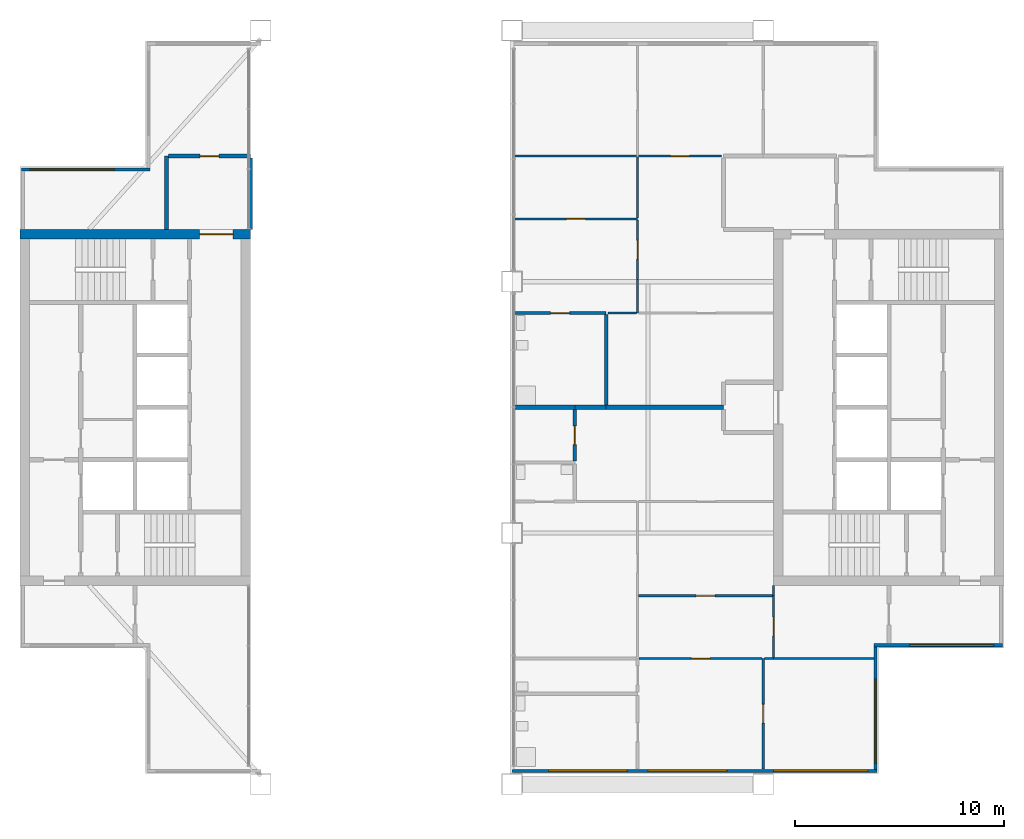
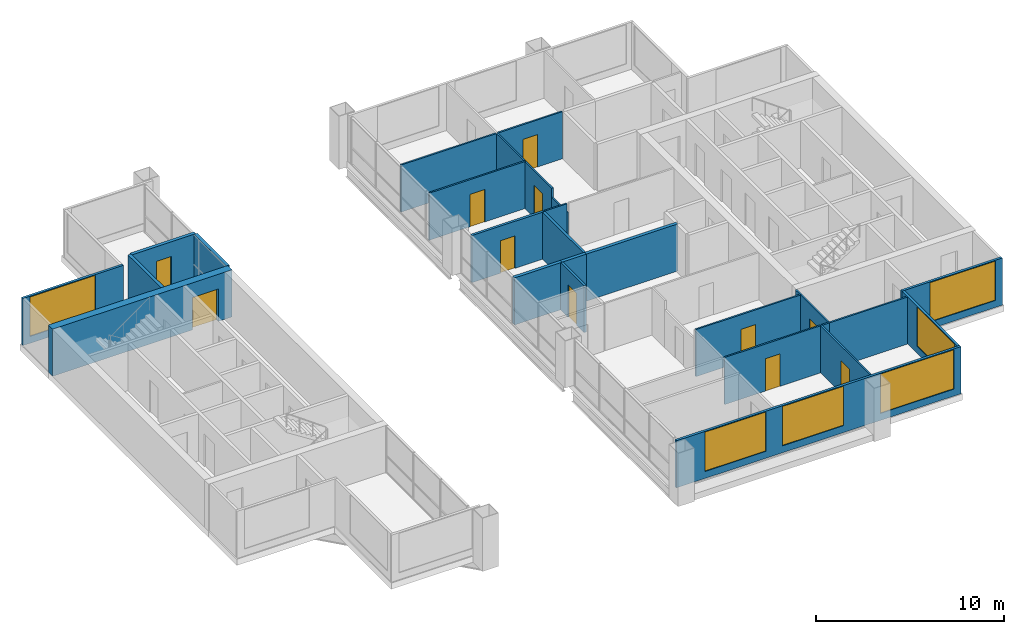
# One storey, part 8 of 12: 28 walls, 11 doors, 6 windows, 17 openings.
"""IFC4 building model written with IfcOpenShell, lengths in metres."""

import ifcopenshell
import ifcopenshell.guid

model = None  # the IFC model being written
_history = None  # IfcOwnerHistory: only IFC2X3 demands one
_inside = {}  # id of a spatial element -> (the spatial element, [elements in it])
_under = {}  # id of a project, library or spatial element -> (it, [spatial elements below it])
_declared = {}  # id of a project -> (the project, [libraries it declares])
_typed = {}  # id of a type object -> (the type object, [elements of that type])
_made_of = {}  # id of a material, layer set ... -> (it, [elements and type objects made of it])


def new_model(schema):
    """Start an empty IFC model of exactly this schema.

    Asked for "IFC4X3", IfcOpenShell would pick the latest addendum, in which some entities
    have other attributes; the version numbers below select the first issue.
    IFC2X3 requires an IfcOwnerHistory on every rooted entity: one is made here for all.
    """
    global model, _history
    if schema == "IFC4X3":
        model = ifcopenshell.file(schema_version=(4, 3, 0, 0))
    else:
        model = ifcopenshell.file(schema=schema)
    _inside.clear()
    _under.clear()
    _declared.clear()
    _typed.clear()
    _made_of.clear()
    _history = None
    if model.schema == "IFC2X3":
        org = make("IfcOrganization", Name="unknown")
        user = make(
            "IfcPersonAndOrganization",
            ThePerson=make("IfcPerson", FamilyName="unknown"),
            TheOrganization=org,
        )
        app = make(
            "IfcApplication",
            ApplicationDeveloper=org,
            Version="unknown",
            ApplicationFullName="unknown",
            ApplicationIdentifier="unknown",
        )
        _history = make(
            "IfcOwnerHistory",
            OwningUser=user,
            OwningApplication=app,
            ChangeAction="ADDED",
            CreationDate=0,
        )
    return model


def make(cls, **values):
    """One entity of the class cls with the attributes given. An attribute that is None is left unset."""
    return model.create_entity(
        cls, **{name: value for name, value in values.items() if value is not None}
    )


def rooted(cls, **values):
    """An entity with a GlobalId (a new one), such as an element, a storey or a relation."""
    return make(cls, GlobalId=ifcopenshell.guid.new(), OwnerHistory=_history, **values)


def si_unit(unit_type, name, prefix=None):
    """IfcSIUnit, for example si_unit("LENGTHUNIT", "METRE", prefix="MILLI")."""
    return make("IfcSIUnit", UnitType=unit_type, Prefix=prefix, Name=name)


def assignment(units):
    """IfcUnitAssignment: the units of a project."""
    return None if units is None else make("IfcUnitAssignment", Units=units)


def point(xyz):
    """IfcCartesianPoint."""
    return None if xyz is None else make("IfcCartesianPoint", Coordinates=xyz)


def direction(xyz):
    """IfcDirection."""
    return None if xyz is None else make("IfcDirection", DirectionRatios=xyz)


def frame(location, z_axis=None, x_axis=None):
    """IfcAxis2Placement3D, a coordinate frame: its origin and axes. An axis left out is left unset."""
    return make(
        "IfcAxis2Placement3D",
        Location=point(location),
        Axis=direction(z_axis),
        RefDirection=direction(x_axis),
    )


def frame_2d(location, x_axis=None):
    """IfcAxis2Placement2D, a coordinate frame in the plane: its origin and x axis."""
    return make(
        "IfcAxis2Placement2D", Location=point(location), RefDirection=direction(x_axis)
    )


def origin():
    """The frame at (0, 0, 0) with its axes left unset."""
    return frame((0.0, 0.0, 0.0))


def place(relative_to, where):
    """IfcLocalPlacement: puts the frame where relative to a parent placement (None: the world)."""
    return make(
        "IfcLocalPlacement", PlacementRelTo=relative_to, RelativePlacement=where
    )


def context(
    kind, dimensions, precision=None, world=None, true_north=None, identifier=None
):
    """IfcGeometricRepresentationContext, for example the 3D "Model" context."""
    return make(
        "IfcGeometricRepresentationContext",
        ContextIdentifier=identifier,
        ContextType=kind,
        CoordinateSpaceDimension=dimensions,
        Precision=precision,
        WorldCoordinateSystem=world,
        TrueNorth=true_north,
    )


def subcontext(parent, identifier, kind, view, scale=None):
    """IfcGeometricRepresentationSubContext, for example "Body" below "Model"."""
    return make(
        "IfcGeometricRepresentationSubContext",
        ContextIdentifier=identifier,
        ContextType=kind,
        ParentContext=parent,
        TargetScale=scale,
        TargetView=view,
    )


def project(units=None, contexts=None):
    """IfcProject with its units and contexts."""
    return rooted(
        "IfcProject",
        Name="project",
        RepresentationContexts=contexts,
        UnitsInContext=assignment(units),
    )


def spatial(cls, under=None, at=None, **own):
    """A site, building, storey or space (cls), placed at a placement, below another one or the project."""
    s = rooted(cls, ObjectPlacement=at, **own)
    if under is not None:
        _under.setdefault(under.id(), (under, []))[1].append(s)
    return s


def profile(cls, at=None, kind="AREA", **sizes):
    """A parametric profile (cls). Its sizes go by their IFC names, for example OverallWidth=200.0."""
    return make(cls, ProfileType=kind, Position=at, **sizes)


def rectangle(**sizes):
    """IfcRectangleProfileDef."""
    return profile("IfcRectangleProfileDef", **sizes)


def extrude(swept, where, along, depth):
    """IfcExtrudedAreaSolid: the profile swept, set in the frame where, extruded along a direction by depth."""
    return make(
        "IfcExtrudedAreaSolid",
        SweptArea=swept,
        Position=where,
        ExtrudedDirection=direction(along),
        Depth=depth,
    )


def shape(context_of_items, identifier, shape_type, items):
    """IfcShapeRepresentation: the items that make up one representation, for example the "Body"."""
    return make(
        "IfcShapeRepresentation",
        ContextOfItems=context_of_items,
        RepresentationIdentifier=identifier,
        RepresentationType=shape_type,
        Items=items,
    )


def material(Name=None, Category=None):
    """IfcMaterial."""
    return make("IfcMaterial", Name=Name, Category=Category)


def layer(
    of_material, thickness, ventilated=None, Name=None, Category=None, Priority=None
):
    """IfcMaterialLayer: one layer of a wall or slab, of a material (None: an air gap)."""
    return make(
        "IfcMaterialLayer",
        Material=of_material,
        LayerThickness=thickness,
        IsVentilated=ventilated,
        Name=Name,
        Category=Category,
        Priority=Priority,
    )


def layer_set(layers, Name=None):
    """IfcMaterialLayerSet."""
    return make("IfcMaterialLayerSet", MaterialLayers=layers, LayerSetName=Name)


def made_of(thing, what):
    """Note that an element or type object is made of a material, layer set ...; save() writes the relation."""
    if what is not None:
        _made_of.setdefault(what.id(), (what, []))[1].append(thing)
    return thing


def type_object(cls, material=None, **own):
    """A type object (cls), such as IfcWallType, which elements share."""
    return made_of(rooted(cls, **own), material)


def element(
    cls,
    number,
    at=None,
    inside=None,
    cuts=None,
    type_object=None,
    material=None,
    context=None,
    identifier="Body",
    shape_type=None,
    held_by="IfcProductDefinitionShape",
    body=None,
    shapes=None,
    **own,
):
    """One element of the class cls, such as IfcWall. Its Tag is "e" and its number.

    at: its placement. inside: the storey or other place that contains it. cuts: it is an
    opening in that element (IfcRelVoidsElement). A single representation is given by context,
    identifier, shape_type and body (its items); several are given by shapes. held_by: the class
    of the entity that holds the representations. save() writes the other relations.
    """
    e = rooted(cls, Tag="e%d" % number, ObjectPlacement=at, **own)
    if body is not None:
        shapes = [shape(context, identifier, shape_type, body)]
    if shapes is not None:
        e.Representation = make(held_by, Representations=shapes)
    if inside is not None:
        _inside.setdefault(inside.id(), (inside, []))[1].append(e)
    if cuts is not None:
        rooted(
            "IfcRelVoidsElement", RelatingBuildingElement=cuts, RelatedOpeningElement=e
        )
    if type_object is not None:
        _typed.setdefault(type_object.id(), (type_object, []))[1].append(e)
    return made_of(e, material)


def fill(opening, filler):
    """IfcRelFillsElement: the door or window that sits in an opening."""
    return rooted(
        "IfcRelFillsElement",
        RelatingOpeningElement=opening,
        RelatedBuildingElement=filler,
    )


def aggregate(whole, parts):
    """IfcRelAggregates: a whole, such as a stair, and the parts it consists of."""
    return rooted("IfcRelAggregates", RelatingObject=whole, RelatedObjects=parts)


def save(model, path):
    """Write the relations noted so far, then the file.

    IfcRelAggregates (storeys below a building ...), IfcRelContainedInSpatialStructure (elements
    in a storey), IfcRelDefinesByType, IfcRelAssociatesMaterial and IfcRelDeclares: one each for
    every whole, place, type object, material and project.
    """
    for whole, parts in _under.values():
        aggregate(whole, parts)
    for where, things in _inside.values():
        rooted(
            "IfcRelContainedInSpatialStructure",
            RelatedElements=things,
            RelatingStructure=where,
        )
    for kind, things in _typed.values():
        rooted("IfcRelDefinesByType", RelatedObjects=things, RelatingType=kind)
    for what, things in _made_of.values():
        rooted("IfcRelAssociatesMaterial", RelatedObjects=things, RelatingMaterial=what)
    for by, libraries in _declared.values():
        rooted("IfcRelDeclares", RelatingContext=by, RelatedDefinitions=libraries)
    model.write(path)


model = new_model("IFC4")

# Units and contexts
model_context = context("Model", 3, precision=1e-05, world=origin(), true_north=direction((0.0, 1.0)))
body_context = subcontext(model_context, "Body", "Model", "MODEL_VIEW")
ifc_project = project(units=[si_unit("LENGTHUNIT", "METRE"), si_unit("AREAUNIT", "SQUARE_METRE"), si_unit("VOLUMEUNIT", "CUBIC_METRE"), si_unit("PLANEANGLEUNIT", "RADIAN"), si_unit("MASSUNIT", "GRAM", prefix="KILO")], contexts=[model_context])

# Site, building, storey
site_placement = place(None, origin())
site = spatial("IfcSite", under=ifc_project, at=site_placement, CompositionType="ELEMENT")
building_placement = place(site_placement, origin())
building = spatial("IfcBuilding", under=site, at=building_placement, Name="Kitamizu Gate Tower and Museum", CompositionType="ELEMENT")
storey_placement = place(building_placement, frame((0.0, 0.0, 255.89990234375)))
storey = spatial("IfcBuildingStorey", under=building, at=storey_placement, Name="L69", CompositionType="ELEMENT", Elevation=255.89990234375)

# Wall, opening, door
ifc_material_1 = material(Name="Concrete Fc42", Category="concrete")
ifc_layer_1 = layer(ifc_material_1, 0.449951171875)
ifc_layer_set_1 = layer_set([ifc_layer_1], Name="Concrete Fc42")
wall_type_1 = type_object("IfcWallType", Name="Core wall 450 EI 90", PredefinedType="SHEAR", material=ifc_layer_set_1)
wall_1_placement = place(storey_placement, frame((12.5, 38.27490234375, 0.0), z_axis=(0.0, 0.0, 1.0), x_axis=(1.0, 0.0, 0.0)))
wall_1 = element("IfcWall", 1, at=wall_1_placement, inside=storey, type_object=wall_type_1, Name="Core wall WN", PredefinedType="SHEAR", context=body_context, shape_type="SweptSolid", body=[
    extrude(rectangle(XDim=11.0, YDim=0.449951171875, at=frame_2d((5.5, 0.0))), origin(), (0.0, 0.0, 1.0), 3.050048828125),
])
opening_1_placement = place(wall_1_placement, frame((8.574951171875, 0.0, 0.0)))
opening_1 = element("IfcOpeningElement", 2, at=opening_1_placement, cuts=wall_1, Name="Opening L69-029", PredefinedType="OPENING", context=body_context, shape_type="SweptSolid", body=[
    extrude(rectangle(XDim=1.60009765625, YDim=2.10009765625, at=frame_2d((0.800048828125, 1.050048828125))), frame((0.0, 0.23486328125, 0.0), z_axis=(0.0, -1.0, 0.0), x_axis=(1.0, 0.0, 0.0)), (0.0, 0.0, 1.0), 0.469970703125),
])
ifc_material_2 = material(Name="Timber door set", Category="wood")
door_type_1 = type_object("IfcDoorType", Name="Entrance door 1600", OperationType="DOUBLE_DOOR_SINGLE_SWING", PredefinedType="DOOR", material=ifc_material_2)
door_1_placement = place(opening_1_placement, origin())
door_1 = element("IfcDoor", 3, at=door_1_placement, inside=storey, type_object=door_type_1, Name="Lobby door L69-029", OperationType="DOUBLE_DOOR_SINGLE_SWING", OverallHeight=2.10009765625, OverallWidth=1.60009765625, PredefinedType="DOOR", context=body_context, shape_type="SweptSolid", body=[
    extrude(rectangle(XDim=1.60009765625, YDim=2.10009765625, at=frame_2d((0.800048828125, 1.050048828125))), frame((0.0, 0.02490234375, 0.0), z_axis=(0.0, -1.0, 0.0), x_axis=(1.0, 0.0, 0.0)), (0.0, 0.0, 1.0), 0.050048828125),
])
fill(opening_1, door_1)

ifc_material_3 = material(Name="Gypsum board on galvanised stud")
ifc_layer_2 = layer(ifc_material_3, 0.10009765625)
ifc_layer_set_2 = layer_set([ifc_layer_2], Name="Gypsum board on galvanised stud")
wall_type_2 = type_object("IfcWallType", Name="Partition 100 NOT RATED", PredefinedType="PARTITIONING", material=ifc_layer_set_2)
wall_2_placement = place(storey_placement, frame((48.0, 12.719970703125, 0.0), z_axis=(0.0, 0.0, 1.0), x_axis=(0.0, 1.0, 0.0)))
wall_2 = element("IfcWall", 4, at=wall_2_placement, inside=storey, type_object=wall_type_2, Name="Partition L69-009", PredefinedType="PARTITIONING", context=body_context, shape_type="SweptSolid", body=[
    extrude(rectangle(XDim=5.280029296875, YDim=0.10009765625, at=frame_2d((2.64013671875, 0.0))), origin(), (0.0, 0.0, 1.0), 3.050048828125),
])
opening_2_placement = place(wall_2_placement, frame((2.18994140625, 0.0, 0.0)))
opening_2 = element("IfcOpeningElement", 5, at=opening_2_placement, cuts=wall_2, Name="Opening L69-007", PredefinedType="OPENING", context=body_context, shape_type="SweptSolid", body=[
    extrude(rectangle(XDim=0.89990234375, YDim=2.10009765625, at=frame_2d((0.449951171875, 1.050048828125))), frame((0.0, 0.06005859375, 0.0), z_axis=(0.0, -1.0, 0.0), x_axis=(1.0, 0.0, 0.0)), (0.0, 0.0, 1.0), 0.1201171875),
])
ifc_material_4 = material(Name="Timber door set", Category="wood")
door_type_2 = type_object("IfcDoorType", Name="Room door 900", OperationType="NOTDEFINED", PredefinedType="DOOR", material=ifc_material_4)
door_2_placement = place(opening_2_placement, frame((0.89990234375, 0.0, 0.0), x_axis=(-1.0, 0.0, 0.0)))
door_2 = element("IfcDoor", 6, at=door_2_placement, inside=storey, type_object=door_type_2, Name="Door L69-007", OperationType="SINGLE_SWING_LEFT", OverallHeight=2.10009765625, OverallWidth=0.89990234375, PredefinedType="DOOR", context=body_context, shape_type="SweptSolid", body=[
    extrude(rectangle(XDim=0.89990234375, YDim=2.10009765625, at=frame_2d((0.449951171875, 1.050048828125))), frame((0.0, 0.02490234375, 0.0), z_axis=(0.0, -1.0, 0.0), x_axis=(1.0, 0.0, 0.0)), (0.0, 0.0, 1.0), 0.050048828125),
])
fill(opening_2, door_2)

wall_3_placement = place(storey_placement, frame((47.949951171875, 18.0, 0.0), z_axis=(0.0, 0.0, 1.0), x_axis=(-1.0, 0.0, 0.0)))
wall_3 = element("IfcWall", 7, at=wall_3_placement, inside=storey, type_object=wall_type_2, Name="Partition L69-010", PredefinedType="PARTITIONING", context=body_context, shape_type="SweptSolid", body=[
    extrude(rectangle(XDim=5.875, YDim=0.10009765625, at=frame_2d((2.9375, 0.0))), origin(), (0.0, 0.0, 1.0), 3.050048828125),
])
opening_3_placement = place(wall_3_placement, frame((2.487548828125, 0.0, 0.0)))
opening_3 = element("IfcOpeningElement", 8, at=opening_3_placement, cuts=wall_3, Name="Opening L69-003", PredefinedType="OPENING", context=body_context, shape_type="SweptSolid", body=[
    extrude(rectangle(XDim=0.89990234375, YDim=2.10009765625, at=frame_2d((0.449951171875, 1.050048828125))), frame((0.0, 0.06005859375, 0.0), z_axis=(0.0, -1.0, 0.0), x_axis=(1.0, 0.0, 0.0)), (0.0, 0.0, 1.0), 0.1201171875),
])
door_3_placement = place(opening_3_placement, frame((0.89990234375, 0.0, 0.0), x_axis=(-1.0, 0.0, 0.0)))
door_3 = element("IfcDoor", 9, at=door_3_placement, inside=storey, type_object=door_type_2, Name="Door L69-003", OperationType="SINGLE_SWING_LEFT", OverallHeight=2.10009765625, OverallWidth=0.89990234375, PredefinedType="DOOR", context=body_context, shape_type="SweptSolid", body=[
    extrude(rectangle(XDim=0.89990234375, YDim=2.10009765625, at=frame_2d((0.449951171875, 1.050048828125))), frame((0.0, 0.02490234375, 0.0), z_axis=(0.0, -1.0, 0.0), x_axis=(1.0, 0.0, 0.0)), (0.0, 0.0, 1.0), 0.050048828125),
])
fill(opening_3, door_3)

# Walls
wall_4_placement = place(storey_placement, frame((53.280029296875, 18.0, 0.0), z_axis=(0.0, 0.0, 1.0), x_axis=(-1.0, 0.0, 0.0)))
element("IfcWall", 10, at=wall_4_placement, inside=storey, type_object=wall_type_2, Name="Partition L69-011", PredefinedType="PARTITIONING", context=body_context, shape_type="SweptSolid", body=[
    extrude(rectangle(XDim=4.780029296875, YDim=0.10009765625, at=frame_2d((2.39013671875, 0.0))), origin(), (0.0, 0.0, 1.0), 3.050048828125),
])
wall_5_placement = place(storey_placement, frame((48.5, 18.0, 0.0), z_axis=(0.0, 0.0, 1.0), x_axis=(-1.0, 0.0, 0.0)))
element("IfcWall", 11, at=wall_5_placement, inside=storey, type_object=wall_type_2, Name="Partition L69-012", PredefinedType="PARTITIONING", context=body_context, shape_type="SweptSolid", body=[
    extrude(rectangle(XDim=0.449951171875, YDim=0.10009765625, at=frame_2d((0.22509765625, 0.0))), origin(), (0.0, 0.0, 1.0), 3.050048828125),
])

# Wall, opening, door
wall_6_placement = place(storey_placement, frame((48.5, 21.0, 0.0), z_axis=(0.0, 0.0, 1.0), x_axis=(0.0, -1.0, 0.0)))
wall_6 = element("IfcWall", 12, at=wall_6_placement, inside=storey, type_object=wall_type_2, Name="Partition L69-013", PredefinedType="PARTITIONING", context=body_context, shape_type="SweptSolid", body=[
    extrude(rectangle(XDim=2.949951171875, YDim=0.10009765625, at=frame_2d((1.47509765625, 0.0))), origin(), (0.0, 0.0, 1.0), 3.050048828125),
])
opening_4_placement = place(wall_6_placement, frame((1.02490234375, 0.0, 0.0)))
opening_4 = element("IfcOpeningElement", 13, at=opening_4_placement, cuts=wall_6, Name="Opening L69-002", PredefinedType="OPENING", context=body_context, shape_type="SweptSolid", body=[
    extrude(rectangle(XDim=0.89990234375, YDim=2.10009765625, at=frame_2d((0.449951171875, 1.050048828125))), frame((0.0, 0.06005859375, 0.0), z_axis=(0.0, -1.0, 0.0), x_axis=(1.0, 0.0, 0.0)), (0.0, 0.0, 1.0), 0.1201171875),
])
door_4_placement = place(opening_4_placement, frame((0.89990234375, 0.0, 0.0), x_axis=(-1.0, 0.0, 0.0)))
door_4 = element("IfcDoor", 14, at=door_4_placement, inside=storey, type_object=door_type_2, Name="Door L69-002", OperationType="SINGLE_SWING_RIGHT", OverallHeight=2.10009765625, OverallWidth=0.89990234375, PredefinedType="DOOR", context=body_context, shape_type="SweptSolid", body=[
    extrude(rectangle(XDim=0.89990234375, YDim=2.10009765625, at=frame_2d((0.449951171875, 1.050048828125))), frame((0.0, 0.02490234375, 0.0), z_axis=(0.0, -1.0, 0.0), x_axis=(1.0, 0.0, 0.0)), (0.0, 0.0, 1.0), 0.050048828125),
])
fill(opening_4, door_4)

# Wall
wall_7_placement = place(storey_placement, frame((48.5, 21.5, 0.0), z_axis=(0.0, 0.0, 1.0), x_axis=(0.0, -1.0, 0.0)))
element("IfcWall", 15, at=wall_7_placement, inside=storey, type_object=wall_type_2, Name="Partition L69-014", PredefinedType="PARTITIONING", context=body_context, shape_type="SweptSolid", body=[
    extrude(rectangle(XDim=0.5, YDim=0.10009765625, at=frame_2d((0.25, 0.0))), origin(), (0.0, 0.0, 1.0), 3.050048828125),
])

# Wall, opening, door
wall_8_placement = place(storey_placement, frame((48.449951171875, 21.0, 0.0), z_axis=(0.0, 0.0, 1.0), x_axis=(-1.0, 0.0, 0.0)))
wall_8 = element("IfcWall", 16, at=wall_8_placement, inside=storey, type_object=wall_type_2, Name="Partition L69-021", PredefinedType="PARTITIONING", context=body_context, shape_type="SweptSolid", body=[
    extrude(rectangle(XDim=6.39990234375, YDim=0.10009765625, at=frame_2d((3.199951171875, 0.0))), origin(), (0.0, 0.0, 1.0), 3.050048828125),
])
opening_5_placement = place(wall_8_placement, frame((2.75, 0.0, 0.0)))
opening_5 = element("IfcOpeningElement", 17, at=opening_5_placement, cuts=wall_8, Name="Opening L69-004", PredefinedType="OPENING", context=body_context, shape_type="SweptSolid", body=[
    extrude(rectangle(XDim=0.89990234375, YDim=2.10009765625, at=frame_2d((0.449951171875, 1.050048828125))), frame((0.0, 0.06005859375, 0.0), z_axis=(0.0, -1.0, 0.0), x_axis=(1.0, 0.0, 0.0)), (0.0, 0.0, 1.0), 0.1201171875),
])
door_5_placement = place(opening_5_placement, origin())
door_5 = element("IfcDoor", 18, at=door_5_placement, inside=storey, type_object=door_type_2, Name="Door L69-004", OperationType="SINGLE_SWING_LEFT", OverallHeight=2.10009765625, OverallWidth=0.89990234375, PredefinedType="DOOR", context=body_context, shape_type="SweptSolid", body=[
    extrude(rectangle(XDim=0.89990234375, YDim=2.10009765625, at=frame_2d((0.449951171875, 1.050048828125))), frame((0.0, 0.02490234375, 0.0), z_axis=(0.0, -1.0, 0.0), x_axis=(1.0, 0.0, 0.0)), (0.0, 0.0, 1.0), 0.050048828125),
])
fill(opening_5, door_5)

# Wall
wall_9_placement = place(storey_placement, frame((36.10009765625, 42.0, 0.0), z_axis=(0.0, 0.0, 1.0), x_axis=(1.0, 0.0, 0.0)))
element("IfcWall", 19, at=wall_9_placement, inside=storey, type_object=wall_type_2, Name="Partition L69-032", PredefinedType="PARTITIONING", context=body_context, shape_type="SweptSolid", body=[
    extrude(rectangle(XDim=5.849853515625, YDim=0.10009765625, at=frame_2d((2.9248046875, 0.0))), origin(), (0.0, 0.0, 1.0), 3.050048828125),
])

# Wall, opening, door
wall_10_placement = place(storey_placement, frame((42.050048828125, 42.0, 0.0), z_axis=(0.0, 0.0, 1.0), x_axis=(1.0, 0.0, 0.0)))
wall_10 = element("IfcWall", 20, at=wall_10_placement, inside=storey, type_object=wall_type_2, Name="Partition L69-034", PredefinedType="PARTITIONING", context=body_context, shape_type="SweptSolid", body=[
    extrude(rectangle(XDim=3.949951171875, YDim=0.10009765625, at=frame_2d((1.97509765625, 0.0))), origin(), (0.0, 0.0, 1.0), 3.050048828125),
])
opening_6_placement = place(wall_10_placement, frame((1.52490234375, 0.0, 0.0)))
opening_6 = element("IfcOpeningElement", 21, at=opening_6_placement, cuts=wall_10, Name="Opening L69-015", PredefinedType="OPENING", context=body_context, shape_type="SweptSolid", body=[
    extrude(rectangle(XDim=0.89990234375, YDim=2.10009765625, at=frame_2d((0.449951171875, 1.050048828125))), frame((0.0, 0.06005859375, 0.0), z_axis=(0.0, -1.0, 0.0), x_axis=(1.0, 0.0, 0.0)), (0.0, 0.0, 1.0), 0.1201171875),
])
door_6_placement = place(opening_6_placement, origin())
door_6 = element("IfcDoor", 22, at=door_6_placement, inside=storey, type_object=door_type_2, Name="Door L69-015", OperationType="SINGLE_SWING_RIGHT", OverallHeight=2.10009765625, OverallWidth=0.89990234375, PredefinedType="DOOR", context=body_context, shape_type="SweptSolid", body=[
    extrude(rectangle(XDim=0.89990234375, YDim=2.10009765625, at=frame_2d((0.449951171875, 1.050048828125))), frame((0.0, 0.02490234375, 0.0), z_axis=(0.0, -1.0, 0.0), x_axis=(1.0, 0.0, 0.0)), (0.0, 0.0, 1.0), 0.050048828125),
])
fill(opening_6, door_6)

wall_11_placement = place(storey_placement, frame((42.0, 39.0, 0.0), z_axis=(0.0, 0.0, 1.0), x_axis=(-1.0, 0.0, 0.0)))
wall_11 = element("IfcWall", 23, at=wall_11_placement, inside=storey, type_object=wall_type_2, Name="Partition L69-039", PredefinedType="PARTITIONING", context=body_context, shape_type="SweptSolid", body=[
    extrude(rectangle(XDim=5.89990234375, YDim=0.10009765625, at=frame_2d((2.949951171875, 0.0))), origin(), (0.0, 0.0, 1.0), 3.050048828125),
])
opening_7_placement = place(wall_11_placement, frame((2.5, 0.0, 0.0)))
opening_7 = element("IfcOpeningElement", 24, at=opening_7_placement, cuts=wall_11, Name="Opening L69-019", PredefinedType="OPENING", context=body_context, shape_type="SweptSolid", body=[
    extrude(rectangle(XDim=0.89990234375, YDim=2.10009765625, at=frame_2d((0.449951171875, 1.050048828125))), frame((0.0, 0.06005859375, 0.0), z_axis=(0.0, -1.0, 0.0), x_axis=(1.0, 0.0, 0.0)), (0.0, 0.0, 1.0), 0.1201171875),
])
door_7_placement = place(opening_7_placement, frame((0.89990234375, 0.0, 0.0), x_axis=(-1.0, 0.0, 0.0)))
door_7 = element("IfcDoor", 25, at=door_7_placement, inside=storey, type_object=door_type_2, Name="Door L69-019", OperationType="SINGLE_SWING_RIGHT", OverallHeight=2.10009765625, OverallWidth=0.89990234375, PredefinedType="DOOR", context=body_context, shape_type="SweptSolid", body=[
    extrude(rectangle(XDim=0.89990234375, YDim=2.10009765625, at=frame_2d((0.449951171875, 1.050048828125))), frame((0.0, 0.02490234375, 0.0), z_axis=(0.0, -1.0, 0.0), x_axis=(1.0, 0.0, 0.0)), (0.0, 0.0, 1.0), 0.050048828125),
])
fill(opening_7, door_7)

# Wall
wall_12_placement = place(storey_placement, frame((42.0, 34.5, 0.0), z_axis=(0.0, 0.0, 1.0), x_axis=(0.0, 1.0, 0.0)))
element("IfcWall", 26, at=wall_12_placement, inside=storey, type_object=wall_type_2, Name="Partition L69-040", PredefinedType="PARTITIONING", context=body_context, shape_type="SweptSolid", body=[
    extrude(rectangle(XDim=1.60009765625, YDim=0.10009765625, at=frame_2d((0.800048828125, 0.0))), origin(), (0.0, 0.0, 1.0), 2.4501953125),
])

# Wall, opening, door
wall_13_placement = place(storey_placement, frame((42.0, 36.10009765625, 0.0), z_axis=(0.0, 0.0, 1.0), x_axis=(0.0, 1.0, 0.0)))
wall_13 = element("IfcWall", 27, at=wall_13_placement, inside=storey, type_object=wall_type_2, Name="Partition L69-041", PredefinedType="PARTITIONING", context=body_context, shape_type="SweptSolid", body=[
    extrude(rectangle(XDim=2.849853515625, YDim=0.10009765625, at=frame_2d((1.4248046875, 0.0))), origin(), (0.0, 0.0, 1.0), 3.050048828125),
])
opening_8_placement = place(wall_13_placement, frame((0.97509765625, 0.0, 0.0)))
opening_8 = element("IfcOpeningElement", 28, at=opening_8_placement, cuts=wall_13, Name="Opening L69-018", PredefinedType="OPENING", context=body_context, shape_type="SweptSolid", body=[
    extrude(rectangle(XDim=0.89990234375, YDim=2.10009765625, at=frame_2d((0.449951171875, 1.050048828125))), frame((0.0, 0.06005859375, 0.0), z_axis=(0.0, -1.0, 0.0), x_axis=(1.0, 0.0, 0.0)), (0.0, 0.0, 1.0), 0.1201171875),
])
door_8_placement = place(opening_8_placement, origin())
door_8 = element("IfcDoor", 29, at=door_8_placement, inside=storey, type_object=door_type_2, Name="Door L69-018", OperationType="SINGLE_SWING_LEFT", OverallHeight=2.10009765625, OverallWidth=0.89990234375, PredefinedType="DOOR", context=body_context, shape_type="SweptSolid", body=[
    extrude(rectangle(XDim=0.89990234375, YDim=2.10009765625, at=frame_2d((0.449951171875, 1.050048828125))), frame((0.0, 0.02490234375, 0.0), z_axis=(0.0, -1.0, 0.0), x_axis=(1.0, 0.0, 0.0)), (0.0, 0.0, 1.0), 0.050048828125),
])
fill(opening_8, door_8)

# Walls
wall_14_placement = place(storey_placement, frame((40.574951171875, 34.5, 0.0), z_axis=(0.0, 0.0, 1.0), x_axis=(1.0, 0.0, 0.0)))
element("IfcWall", 30, at=wall_14_placement, inside=storey, type_object=wall_type_2, Name="Partition L69-043", PredefinedType="PARTITIONING", context=body_context, shape_type="SweptSolid", body=[
    extrude(rectangle(XDim=1.375, YDim=0.10009765625, at=frame_2d((0.6875, 0.0))), origin(), (0.0, 0.0, 1.0), 3.050048828125),
])
wall_15_placement = place(storey_placement, frame((42.0, 39.050048828125, 0.0), z_axis=(0.0, 0.0, 1.0), x_axis=(0.0, 1.0, 0.0)))
element("IfcWall", 31, at=wall_15_placement, inside=storey, type_object=wall_type_2, Name="Partition L69-044", PredefinedType="PARTITIONING", context=body_context, shape_type="SweptSolid", body=[
    extrude(rectangle(XDim=2.89990234375, YDim=0.10009765625, at=frame_2d((1.449951171875, 0.0))), origin(), (0.0, 0.0, 1.0), 3.050048828125),
])

# Wall, opening, door
ifc_material_5 = material(Name="Gypsum board on galvanised stud")
ifc_layer_3 = layer(ifc_material_5, 0.14990234375)
ifc_layer_set_3 = layer_set([ifc_layer_3], Name="Gypsum board on galvanised stud")
wall_type_3 = type_object("IfcWallType", Name="Partition 150", PredefinedType="PARTITIONING", material=ifc_layer_set_3)
wall_16_placement = place(storey_placement, frame((39.0, 27.43701171875, 0.0), z_axis=(0.0, 0.0, 1.0), x_axis=(0.0, 1.0, 0.0)))
wall_16 = element("IfcWall", 32, at=wall_16_placement, inside=storey, type_object=wall_type_3, Name="Partition L69-025", PredefinedType="PARTITIONING", context=body_context, shape_type="SweptSolid", body=[
    extrude(rectangle(XDim=2.462890625, YDim=0.14990234375, at=frame_2d((1.2314453125, 0.0))), origin(), (0.0, 0.0, 1.0), 3.050048828125),
])
opening_9_placement = place(wall_16_placement, frame((0.781494140625, 0.0, 0.0)))
opening_9 = element("IfcOpeningElement", 33, at=opening_9_placement, cuts=wall_16, Name="Opening L69-011", PredefinedType="OPENING", context=body_context, shape_type="SweptSolid", body=[
    extrude(rectangle(XDim=0.89990234375, YDim=2.10009765625, at=frame_2d((0.449951171875, 1.050048828125))), frame((0.0, 0.0849609375, 0.0), z_axis=(0.0, -1.0, 0.0), x_axis=(1.0, 0.0, 0.0)), (0.0, 0.0, 1.0), 0.169921875),
])
ifc_material_6 = material(Name="Timber door set", Category="wood")
door_type_3 = type_object("IfcDoorType", Name="Bathroom door 900", OperationType="NOTDEFINED", PredefinedType="DOOR", material=ifc_material_6)
door_9_placement = place(opening_9_placement, origin())
door_9 = element("IfcDoor", 34, at=door_9_placement, inside=storey, type_object=door_type_3, Name="Bathroom door L69-011", OperationType="SINGLE_SWING_LEFT", OverallHeight=2.10009765625, OverallWidth=0.89990234375, PredefinedType="DOOR", context=body_context, shape_type="SweptSolid", body=[
    extrude(rectangle(XDim=0.89990234375, YDim=2.10009765625, at=frame_2d((0.449951171875, 1.050048828125))), frame((0.0, 0.02490234375, 0.0), z_axis=(0.0, -1.0, 0.0), x_axis=(1.0, 0.0, 0.0)), (0.0, 0.0, 1.0), 0.050048828125),
])
fill(opening_9, door_9)

wall_17_placement = place(storey_placement, frame((36.10009765625, 34.5, 0.0), z_axis=(0.0, 0.0, 1.0), x_axis=(1.0, 0.0, 0.0)))
wall_17 = element("IfcWall", 35, at=wall_17_placement, inside=storey, type_object=wall_type_3, Name="Partition L69-042", PredefinedType="PARTITIONING", context=body_context, shape_type="SweptSolid", body=[
    extrude(rectangle(XDim=4.39990234375, YDim=0.14990234375, at=frame_2d((2.199951171875, 0.0))), origin(), (0.0, 0.0, 1.0), 3.050048828125),
])
opening_10_placement = place(wall_17_placement, frame((1.75, 0.0, 0.0)))
opening_10 = element("IfcOpeningElement", 36, at=opening_10_placement, cuts=wall_17, Name="Opening L69-020", PredefinedType="OPENING", context=body_context, shape_type="SweptSolid", body=[
    extrude(rectangle(XDim=0.89990234375, YDim=2.10009765625, at=frame_2d((0.449951171875, 1.050048828125))), frame((0.0, 0.0849609375, 0.0), z_axis=(0.0, -1.0, 0.0), x_axis=(1.0, 0.0, 0.0)), (0.0, 0.0, 1.0), 0.169921875),
])
door_10_placement = place(opening_10_placement, frame((0.89990234375, 0.0, 0.0), x_axis=(-1.0, 0.0, 0.0)))
door_10 = element("IfcDoor", 37, at=door_10_placement, inside=storey, type_object=door_type_3, Name="Bathroom door L69-020", OperationType="SINGLE_SWING_LEFT", OverallHeight=2.10009765625, OverallWidth=0.89990234375, PredefinedType="DOOR", context=body_context, shape_type="SweptSolid", body=[
    extrude(rectangle(XDim=0.89990234375, YDim=2.10009765625, at=frame_2d((0.449951171875, 1.050048828125))), frame((0.0, 0.02490234375, 0.0), z_axis=(0.0, -1.0, 0.0), x_axis=(1.0, 0.0, 0.0)), (0.0, 0.0, 1.0), 0.050048828125),
])
fill(opening_10, door_10)

# Walls
wall_18_placement = place(storey_placement, frame((40.5, 30.10009765625, 0.0), z_axis=(0.0, 0.0, 1.0), x_axis=(0.0, 1.0, 0.0)))
element("IfcWall", 38, at=wall_18_placement, inside=storey, type_object=wall_type_3, Name="Partition L69-048", PredefinedType="PARTITIONING", context=body_context, shape_type="SweptSolid", body=[
    extrude(rectangle(XDim=4.324951171875, YDim=0.14990234375, at=frame_2d((2.16259765625, 0.0))), origin(), (0.0, 0.0, 1.0), 3.050048828125),
])
ifc_material_7 = material(Name="Gypsum board on galvanised stud")
ifc_layer_4 = layer(ifc_material_7, 0.199951171875)
ifc_layer_set_4 = layer_set([ifc_layer_4], Name="Gypsum board on galvanised stud")
wall_type_4 = type_object("IfcWallType", Name="Partition 200", PredefinedType="PARTITIONING", material=ifc_layer_set_4)
wall_19_placement = place(storey_placement, frame((19.5, 38.5, 0.0), z_axis=(0.0, 0.0, 1.0), x_axis=(0.0, 1.0, 0.0)))
element("IfcWall", 39, at=wall_19_placement, inside=storey, type_object=wall_type_4, Name="Partition L69-002", PredefinedType="PARTITIONING", context=body_context, shape_type="SweptSolid", body=[
    extrude(rectangle(XDim=3.5, YDim=0.199951171875, at=frame_2d((1.75, 0.0))), origin(), (0.0, 0.0, 1.0), 3.050048828125),
])

# Wall, opening, door
wall_20_placement = place(storey_placement, frame((19.60009765625, 42.0, 0.0), z_axis=(0.0, 0.0, 1.0), x_axis=(1.0, 0.0, 0.0)))
wall_20 = element("IfcWall", 40, at=wall_20_placement, inside=storey, type_object=wall_type_4, Name="Partition L69-003", PredefinedType="PARTITIONING", context=body_context, shape_type="SweptSolid", body=[
    extrude(rectangle(XDim=3.89990234375, YDim=0.199951171875, at=frame_2d((1.949951171875, 0.0))), origin(), (0.0, 0.0, 1.0), 3.050048828125),
])
opening_11_placement = place(wall_20_placement, frame((1.5, 0.0, 0.0)))
opening_11 = element("IfcOpeningElement", 41, at=opening_11_placement, cuts=wall_20, Name="Opening L69-022", PredefinedType="OPENING", context=body_context, shape_type="SweptSolid", body=[
    extrude(rectangle(XDim=0.89990234375, YDim=2.10009765625, at=frame_2d((0.449951171875, 1.050048828125))), frame((0.0, 0.10986328125, 0.0), z_axis=(0.0, -1.0, 0.0), x_axis=(1.0, 0.0, 0.0)), (0.0, 0.0, 1.0), 0.219970703125),
])
door_11_placement = place(opening_11_placement, origin())
door_11 = element("IfcDoor", 42, at=door_11_placement, inside=storey, type_object=door_type_2, Name="Door L69-022", OperationType="SINGLE_SWING_RIGHT", OverallHeight=2.10009765625, OverallWidth=0.89990234375, PredefinedType="DOOR", context=body_context, shape_type="SweptSolid", body=[
    extrude(rectangle(XDim=0.89990234375, YDim=2.10009765625, at=frame_2d((0.449951171875, 1.050048828125))), frame((0.0, 0.02490234375, 0.0), z_axis=(0.0, -1.0, 0.0), x_axis=(1.0, 0.0, 0.0)), (0.0, 0.0, 1.0), 0.050048828125),
])
fill(opening_11, door_11)

# Walls
wall_21_placement = place(storey_placement, frame((23.5, 41.89990234375, 0.0), z_axis=(0.0, 0.0, 1.0), x_axis=(0.0, -1.0, 0.0)))
element("IfcWall", 43, at=wall_21_placement, inside=storey, type_object=wall_type_4, Name="Partition L69-004", PredefinedType="PARTITIONING", context=body_context, shape_type="SweptSolid", body=[
    extrude(rectangle(XDim=3.39990234375, YDim=0.199951171875, at=frame_2d((1.699951171875, 0.0))), origin(), (0.0, 0.0, 1.0), 3.050048828125),
])
wall_22_placement = place(storey_placement, frame((39.0, 30.0, 0.0), z_axis=(0.0, 0.0, 1.0), x_axis=(-1.0, 0.0, 0.0)))
element("IfcWall", 44, at=wall_22_placement, inside=storey, type_object=wall_type_4, Name="Partition L69-026", PredefinedType="PARTITIONING", context=body_context, shape_type="SweptSolid", body=[
    extrude(rectangle(XDim=2.89990234375, YDim=0.199951171875, at=frame_2d((1.449951171875, 0.0))), origin(), (0.0, 0.0, 1.0), 3.050048828125),
])
wall_23_placement = place(storey_placement, frame((40.5, 30.0, 0.0), z_axis=(0.0, 0.0, 1.0), x_axis=(-1.0, 0.0, 0.0)))
element("IfcWall", 45, at=wall_23_placement, inside=storey, type_object=wall_type_4, Name="Partition L69-027", PredefinedType="PARTITIONING", context=body_context, shape_type="SweptSolid", body=[
    extrude(rectangle(XDim=1.5, YDim=0.199951171875, at=frame_2d((0.75, 0.0))), origin(), (0.0, 0.0, 1.0), 3.050048828125),
])
wall_24_placement = place(storey_placement, frame((46.10009765625, 30.0, 0.0), z_axis=(0.0, 0.0, 1.0), x_axis=(-1.0, 0.0, 0.0)))
element("IfcWall", 46, at=wall_24_placement, inside=storey, type_object=wall_type_4, Name="Partition L69-028", PredefinedType="PARTITIONING", context=body_context, shape_type="SweptSolid", body=[
    extrude(rectangle(XDim=5.60009765625, YDim=0.199951171875, at=frame_2d((2.800048828125, 0.0))), origin(), (0.0, 0.0, 1.0), 3.050048828125),
])

# Wall, openings, windows
ifc_material_8 = material(Name="Bronze anodised aluminium frame with insulated spandrel and tinted glass", Category="aluminium")
ifc_layer_5 = layer(ifc_material_8, 0.14990234375)
ifc_layer_set_5 = layer_set([ifc_layer_5], Name="Bronze anodised aluminium frame with insulated spandrel and tinted glass")
wall_type_5 = type_object("IfcWallType", Name="WINDOW WALL 150 BRONZE FRAME EI 30", PredefinedType="ELEMENTEDWALL", material=ifc_layer_set_5)
wall_25_placement = place(storey_placement, frame((36.0, 12.635009765625, 0.0), z_axis=(0.0, 0.0, 1.0), x_axis=(1.0, 0.0, 0.0)))
wall_25 = element("IfcWall", 47, at=wall_25_placement, inside=storey, type_object=wall_type_5, Name="Window wall south L69", PredefinedType="ELEMENTEDWALL", context=body_context, shape_type="SweptSolid", body=[
    extrude(rectangle(XDim=17.43994140625, YDim=0.14990234375, at=frame_2d((8.719970703125, 0.0))), origin(), (0.0, 0.0, 1.0), 3.050048828125),
])
opening_12_placement = place(wall_25_placement, frame((1.75, 0.0, 0.449951171875)))
opening_12 = element("IfcOpeningElement", 48, at=opening_12_placement, cuts=wall_25, Name="Opening W36", PredefinedType="OPENING", context=body_context, shape_type="SweptSolid", body=[
    extrude(rectangle(XDim=3.75, YDim=2.550048828125, at=frame_2d((1.875, 1.27490234375))), frame((0.0, 0.0849609375, 0.0), z_axis=(0.0, -1.0, 0.0), x_axis=(1.0, 0.0, 0.0)), (0.0, 0.0, 1.0), 0.169921875),
])
opening_13_placement = place(wall_25_placement, frame((6.5, 0.0, 0.449951171875)))
opening_13 = element("IfcOpeningElement", 49, at=opening_13_placement, cuts=wall_25, Name="Opening W36", PredefinedType="OPENING", context=body_context, shape_type="SweptSolid", body=[
    extrude(rectangle(XDim=3.75, YDim=2.550048828125, at=frame_2d((1.875, 1.27490234375))), frame((0.0, 0.0849609375, 0.0), z_axis=(0.0, -1.0, 0.0), x_axis=(1.0, 0.0, 0.0)), (0.0, 0.0, 1.0), 0.169921875),
])
opening_14_placement = place(wall_25_placement, frame((12.5, 0.0, 0.449951171875)))
opening_14 = element("IfcOpeningElement", 50, at=opening_14_placement, cuts=wall_25, Name="Opening W15", PredefinedType="OPENING", context=body_context, shape_type="SweptSolid", body=[
    extrude(rectangle(XDim=4.5, YDim=2.550048828125, at=frame_2d((2.25, 1.27490234375))), frame((0.0, 0.0849609375, 0.0), z_axis=(0.0, -1.0, 0.0), x_axis=(1.0, 0.0, 0.0)), (0.0, 0.0, 1.0), 0.169921875),
])
ifc_material_9 = material(Name="Bronze anodised aluminium frame, tinted triple glazing", Category="aluminium")
window_type_1 = type_object("IfcWindowType", Name="WINDOW 3750 x 2550 SILL 450", PartitioningType="SINGLE_PANEL", PredefinedType="WINDOW", material=ifc_material_9)
window_1_placement = place(opening_12_placement, origin())
window_1 = element("IfcWindow", 51, at=window_1_placement, inside=storey, type_object=window_type_1, Name="Window W36 L69", OverallHeight=2.550048828125, OverallWidth=3.75, PartitioningType="SINGLE_PANEL", PredefinedType="WINDOW", context=body_context, shape_type="SweptSolid", body=[
    extrude(rectangle(XDim=3.75, YDim=2.550048828125, at=frame_2d((1.875, 1.27490234375))), frame((0.0, 0.030029296875, 0.0), z_axis=(0.0, -1.0, 0.0), x_axis=(1.0, 0.0, 0.0)), (0.0, 0.0, 1.0), 0.06005859375),
])
fill(opening_12, window_1)
window_2_placement = place(opening_13_placement, origin())
window_2 = element("IfcWindow", 52, at=window_2_placement, inside=storey, type_object=window_type_1, Name="Window W36 L69", OverallHeight=2.550048828125, OverallWidth=3.75, PartitioningType="SINGLE_PANEL", PredefinedType="WINDOW", context=body_context, shape_type="SweptSolid", body=[
    extrude(rectangle(XDim=3.75, YDim=2.550048828125, at=frame_2d((1.875, 1.27490234375))), frame((0.0, 0.030029296875, 0.0), z_axis=(0.0, -1.0, 0.0), x_axis=(1.0, 0.0, 0.0)), (0.0, 0.0, 1.0), 0.06005859375),
])
fill(opening_13, window_2)
ifc_material_10 = material(Name="Bronze anodised aluminium frame, tinted triple glazing", Category="aluminium")
window_type_2 = type_object("IfcWindowType", Name="WINDOW 4500 x 2550 SILL 450", PartitioningType="SINGLE_PANEL", PredefinedType="WINDOW", material=ifc_material_10)
window_3_placement = place(opening_14_placement, origin())
window_3 = element("IfcWindow", 53, at=window_3_placement, inside=storey, type_object=window_type_2, Name="Window W15 L69", OverallHeight=2.550048828125, OverallWidth=4.5, PartitioningType="SINGLE_PANEL", PredefinedType="WINDOW", context=body_context, shape_type="SweptSolid", body=[
    extrude(rectangle(XDim=4.5, YDim=2.550048828125, at=frame_2d((2.25, 1.27490234375))), frame((0.0, 0.030029296875, 0.0), z_axis=(0.0, -1.0, 0.0), x_axis=(1.0, 0.0, 0.0)), (0.0, 0.0, 1.0), 0.06005859375),
])
fill(opening_14, window_3)

# Wall, opening, window
wall_26_placement = place(storey_placement, frame((53.364990234375, 12.7099609375, 0.0), z_axis=(0.0, 0.0, 1.0), x_axis=(0.0, 1.0, 0.0)))
wall_26 = element("IfcWall", 54, at=wall_26_placement, inside=storey, type_object=wall_type_5, Name="Window wall east L69", PredefinedType="ELEMENTEDWALL", context=body_context, shape_type="SweptSolid", body=[
    extrude(rectangle(XDim=5.85009765625, YDim=0.14990234375, at=frame_2d((2.925048828125, 0.0))), origin(), (0.0, 0.0, 1.0), 3.050048828125),
])
opening_15_placement = place(wall_26_placement, frame((0.2900390625, 0.0, 0.449951171875)))
opening_15 = element("IfcOpeningElement", 55, at=opening_15_placement, cuts=wall_26, Name="Opening W16", PredefinedType="OPENING", context=body_context, shape_type="SweptSolid", body=[
    extrude(rectangle(XDim=4.0, YDim=2.550048828125, at=frame_2d((2.0, 1.27490234375))), frame((0.0, 0.0849609375, 0.0), z_axis=(0.0, -1.0, 0.0), x_axis=(1.0, 0.0, 0.0)), (0.0, 0.0, 1.0), 0.169921875),
])
ifc_material_11 = material(Name="Bronze anodised aluminium frame, tinted triple glazing", Category="aluminium")
window_type_3 = type_object("IfcWindowType", Name="WINDOW 4000 x 2550 SILL 450", PartitioningType="SINGLE_PANEL", PredefinedType="WINDOW", material=ifc_material_11)
window_4_placement = place(opening_15_placement, origin())
window_4 = element("IfcWindow", 56, at=window_4_placement, inside=storey, type_object=window_type_3, Name="Window W16 L69", OverallHeight=2.550048828125, OverallWidth=4.0, PartitioningType="SINGLE_PANEL", PredefinedType="WINDOW", context=body_context, shape_type="SweptSolid", body=[
    extrude(rectangle(XDim=4.0, YDim=2.550048828125, at=frame_2d((2.0, 1.27490234375))), frame((0.0, 0.030029296875, 0.0), z_axis=(0.0, -1.0, 0.0), x_axis=(1.0, 0.0, 0.0)), (0.0, 0.0, 1.0), 0.06005859375),
])
fill(opening_15, window_4)

wall_27_placement = place(storey_placement, frame((53.2900390625, 18.635009765625, 0.0), z_axis=(0.0, 0.0, 1.0), x_axis=(1.0, 0.0, 0.0)))
wall_27 = element("IfcWall", 57, at=wall_27_placement, inside=storey, type_object=wall_type_5, Name="Window wall south L69", PredefinedType="ELEMENTEDWALL", context=body_context, shape_type="SweptSolid", body=[
    extrude(rectangle(XDim=6.14990234375, YDim=0.14990234375, at=frame_2d((3.074951171875, 0.0))), origin(), (0.0, 0.0, 1.0), 3.050048828125),
])
opening_16_placement = place(wall_27_placement, frame((1.7099609375, 0.0, 0.449951171875)))
opening_16 = element("IfcOpeningElement", 58, at=opening_16_placement, cuts=wall_27, Name="Opening W16", PredefinedType="OPENING", context=body_context, shape_type="SweptSolid", body=[
    extrude(rectangle(XDim=4.0, YDim=2.550048828125, at=frame_2d((2.0, 1.27490234375))), frame((0.0, 0.0849609375, 0.0), z_axis=(0.0, -1.0, 0.0), x_axis=(1.0, 0.0, 0.0)), (0.0, 0.0, 1.0), 0.169921875),
])
window_5_placement = place(opening_16_placement, origin())
window_5 = element("IfcWindow", 59, at=window_5_placement, inside=storey, type_object=window_type_3, Name="Window W16 L69", OverallHeight=2.550048828125, OverallWidth=4.0, PartitioningType="SINGLE_PANEL", PredefinedType="WINDOW", context=body_context, shape_type="SweptSolid", body=[
    extrude(rectangle(XDim=4.0, YDim=2.550048828125, at=frame_2d((2.0, 1.27490234375))), frame((0.0, 0.030029296875, 0.0), z_axis=(0.0, -1.0, 0.0), x_axis=(1.0, 0.0, 0.0)), (0.0, 0.0, 1.0), 0.06005859375),
])
fill(opening_16, window_5)

wall_28_placement = place(storey_placement, frame((12.56005859375, 41.364990234375, 0.0), z_axis=(0.0, 0.0, 1.0), x_axis=(1.0, 0.0, 0.0)))
wall_28 = element("IfcWall", 60, at=wall_28_placement, inside=storey, type_object=wall_type_5, Name="Window wall north L69", PredefinedType="ELEMENTEDWALL", context=body_context, shape_type="SweptSolid", body=[
    extrude(rectangle(XDim=6.14990234375, YDim=0.14990234375, at=frame_2d((3.074951171875, 0.0))), origin(), (0.0, 0.0, 1.0), 3.050048828125),
])
opening_17_placement = place(wall_28_placement, frame((0.43994140625, 0.0, 0.449951171875)))
opening_17 = element("IfcOpeningElement", 61, at=opening_17_placement, cuts=wall_28, Name="Opening W16", PredefinedType="OPENING", context=body_context, shape_type="SweptSolid", body=[
    extrude(rectangle(XDim=4.0, YDim=2.550048828125, at=frame_2d((2.0, 1.27490234375))), frame((0.0, 0.0849609375, 0.0), z_axis=(0.0, -1.0, 0.0), x_axis=(1.0, 0.0, 0.0)), (0.0, 0.0, 1.0), 0.169921875),
])
window_6_placement = place(opening_17_placement, origin())
window_6 = element("IfcWindow", 62, at=window_6_placement, inside=storey, type_object=window_type_3, Name="Window W16 L69", OverallHeight=2.550048828125, OverallWidth=4.0, PartitioningType="SINGLE_PANEL", PredefinedType="WINDOW", context=body_context, shape_type="SweptSolid", body=[
    extrude(rectangle(XDim=4.0, YDim=2.550048828125, at=frame_2d((2.0, 1.27490234375))), frame((0.0, 0.030029296875, 0.0), z_axis=(0.0, -1.0, 0.0), x_axis=(1.0, 0.0, 0.0)), (0.0, 0.0, 1.0), 0.06005859375),
])
fill(opening_17, window_6)

save(model, "model.ifc")
